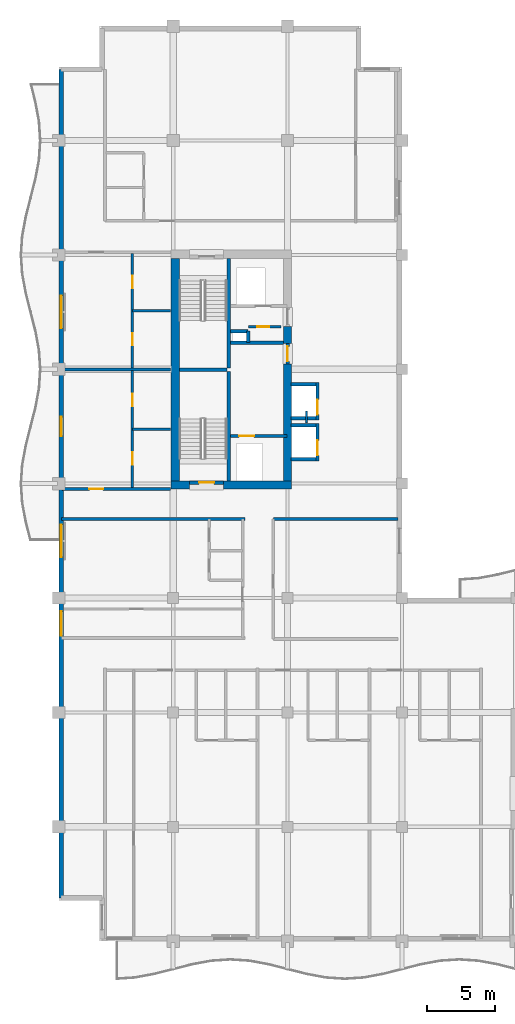
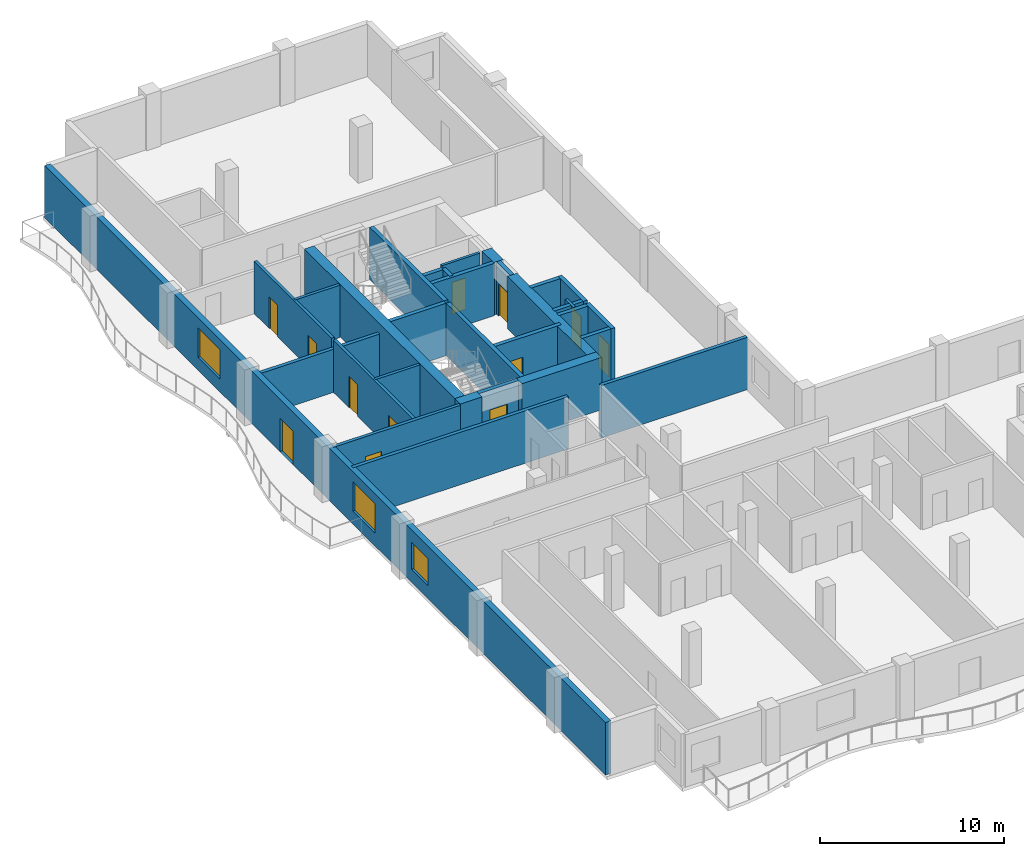
# One storey, part 9 of 16: 31 walls, 12 doors, 3 windows, 15 openings.
"""IFC4 building model written with IfcOpenShell, lengths in metres."""

from ifc_helpers import new_model, si_unit, direction, frame, frame_2d, origin, place, context, subcontext, project, spatial, rectangle, extrude, material, layer, layer_set, type_object, element, fill, save


model = new_model("IFC4")

# Units and contexts
model_context = context("Model", 3, precision=1e-05, world=origin(), true_north=direction((0.0, 1.0)))
body_context = subcontext(model_context, "Body", "Model", "MODEL_VIEW")
ifc_project = project(units=[si_unit("LENGTHUNIT", "METRE"), si_unit("AREAUNIT", "SQUARE_METRE"), si_unit("VOLUMEUNIT", "CUBIC_METRE"), si_unit("PLANEANGLEUNIT", "RADIAN"), si_unit("MASSUNIT", "GRAM", prefix="KILO")], contexts=[model_context])

# Site, building, storey
site_placement = place(None, origin())
site = spatial("IfcSite", under=ifc_project, at=site_placement, CompositionType="ELEMENT")
building_placement = place(site_placement, origin())
building = spatial("IfcBuilding", under=site, at=building_placement, Name="Koriwani Terraces Tower", CompositionType="ELEMENT")
storey_placement = place(building_placement, frame((0.0, 0.0, 245.300048828125)))
storey = spatial("IfcBuildingStorey", under=building, at=storey_placement, Name="L60", CompositionType="ELEMENT", Elevation=245.300048828125)

# Walls
ifc_material_1 = material(Name="Concrete C60/75", Category="concrete")
ifc_layer_1 = layer(ifc_material_1, 0.60009765625, Name="Concrete C60/75")
ifc_layer_set_1 = layer_set([ifc_layer_1], Name="Concrete C60/75")
wall_type_1 = type_object("IfcWallType", Name="WALL_CORE_RC_600", PredefinedType="SHEAR", material=ifc_layer_set_1)
wall_1_placement = place(storey_placement, frame((16.64990234375, 41.89990234375, 0.0), z_axis=(0.0, 0.0, 1.0), x_axis=(1.0, 0.0, 0.0)))
element("IfcWall", 1, at=wall_1_placement, inside=storey, type_object=wall_type_1, Name="L60 West Split Core Shear Wall S1", PredefinedType="SHEAR", context=body_context, shape_type="SweptSolid", body=[
    extrude(rectangle(XDim=1.35009765625, YDim=0.60009765625, at=frame_2d((0.675048828125, 0.0))), origin(), (0.0, 0.0, 1.0), 3.469970703125),
])
wall_2_placement = place(storey_placement, frame((20.5, 41.89990234375, 0.0), z_axis=(0.0, 0.0, 1.0), x_axis=(1.0, 0.0, 0.0)))
element("IfcWall", 2, at=wall_2_placement, inside=storey, type_object=wall_type_1, Name="L60 West Split Core Shear Wall S2", PredefinedType="SHEAR", context=body_context, shape_type="SweptSolid", body=[
    extrude(rectangle(XDim=5.0, YDim=0.60009765625, at=frame_2d((2.5, 0.0))), origin(), (0.0, 0.0, 1.0), 3.469970703125),
])
wall_3_placement = place(storey_placement, frame((16.949951171875, 42.199951171875, 0.0), z_axis=(0.0, 0.0, 1.0), x_axis=(0.0, 1.0, 0.0)))
element("IfcWall", 3, at=wall_3_placement, inside=storey, type_object=wall_type_1, Name="L60 West Split Core Shear Wall W1", PredefinedType="SHEAR", context=body_context, shape_type="SweptSolid", body=[
    extrude(rectangle(XDim=16.35009765625, YDim=0.60009765625, at=frame_2d((8.175048828125, 0.0))), origin(), (0.0, 0.0, 1.0), 3.469970703125),
])
wall_4_placement = place(storey_placement, frame((25.199951171875, 42.199951171875, 0.0), z_axis=(0.0, 0.0, 1.0), x_axis=(0.0, 1.0, 0.0)))
element("IfcWall", 4, at=wall_4_placement, inside=storey, type_object=wall_type_1, Name="L60 West Split Core Shear Wall E1", PredefinedType="SHEAR", context=body_context, shape_type="SweptSolid", body=[
    extrude(rectangle(XDim=8.60009765625, YDim=0.60009765625, at=frame_2d((4.300048828125, 0.0))), origin(), (0.0, 0.0, 1.0), 3.469970703125),
])
wall_5_placement = place(storey_placement, frame((25.199951171875, 52.280029296875, 0.0), z_axis=(0.0, 0.0, 1.0), x_axis=(0.0, 1.0, 0.0)))
element("IfcWall", 5, at=wall_5_placement, inside=storey, type_object=wall_type_1, Name="L60 West Split Core Shear Wall E2", PredefinedType="SHEAR", context=body_context, shape_type="SweptSolid", body=[
    extrude(rectangle(XDim=1.27001953125, YDim=0.60009765625, at=frame_2d((0.635009765625, 0.0))), origin(), (0.0, 0.0, 1.0), 3.469970703125),
])

# Wall, opening, door
ifc_material_2 = material(Name="Autoclaved Cellular Concrete Blockwork", Category="masonry")
ifc_layer_2 = layer(ifc_material_2, 0.199951171875, Name="Autoclaved Cellular Concrete Blockwork")
ifc_layer_set_2 = layer_set([ifc_layer_2], Name="Autoclaved Cellular Concrete Blockwork")
wall_type_2 = type_object("IfcWallType", Name="WALL_CORRIDOR_200", PredefinedType="PARTITIONING", material=ifc_layer_set_2)
wall_6_placement = place(storey_placement, frame((8.64990234375, 41.60009765625, 0.0), z_axis=(0.0, 0.0, 1.0), x_axis=(1.0, 0.0, 0.0)))
wall_6 = element("IfcWall", 6, at=wall_6_placement, inside=storey, type_object=wall_type_2, Name="L60 Interior Wall WRZ4-WS-L60", PredefinedType="PARTITIONING", context=body_context, shape_type="SweptSolid", body=[
    extrude(rectangle(XDim=7.9501953125, YDim=0.199951171875, at=frame_2d((3.97509765625, 0.0))), origin(), (0.0, 0.0, 1.0), 3.469970703125),
])
opening_1_placement = place(wall_6_placement, frame((2.0, 0.0, 0.0)))
opening_1 = element("IfcOpeningElement", 7, at=opening_1_placement, cuts=wall_6, Name="Opening D-05", PredefinedType="OPENING", context=body_context, shape_type="SweptSolid", body=[
    extrude(rectangle(XDim=1.0, YDim=2.14990234375, at=frame_2d((0.5, 1.074951171875))), frame((0.0, 0.10986328125, 0.0), z_axis=(0.0, -1.0, 0.0), x_axis=(1.0, 0.0, 0.0)), (0.0, 0.0, 1.0), 0.219970703125),
])
ifc_material_3 = material(Name="Architectural Oak Fire Door", Category="wood")
door_type_1 = type_object("IfcDoorType", Name="DOOR_SUITE_ENTRY_1000X2150", OperationType="NOTDEFINED", PredefinedType="DOOR", material=ifc_material_3)
door_1_placement = place(opening_1_placement, origin())
door_1 = element("IfcDoor", 8, at=door_1_placement, inside=storey, type_object=door_type_1, Name="Apartment 60RW1 Entrance Door", OperationType="SINGLE_SWING_LEFT", OverallHeight=2.14990234375, OverallWidth=1.0, PredefinedType="DOOR", context=body_context, shape_type="SweptSolid", body=[
    extrude(rectangle(XDim=1.0, YDim=2.14990234375, at=frame_2d((0.5, 1.074951171875))), frame((0.0, 0.02490234375, 0.0), z_axis=(0.0, -1.0, 0.0), x_axis=(1.0, 0.0, 0.0)), (0.0, 0.0, 1.0), 0.050048828125),
])
fill(opening_1, door_1)

# Walls
ifc_layer_3 = layer(ifc_material_2, 0.219970703125, Name="Autoclaved Cellular Concrete Blockwork")
ifc_layer_set_3 = layer_set([ifc_layer_3], Name="Autoclaved Cellular Concrete Blockwork")
wall_type_3 = type_object("IfcWallType", Name="WALL_DEMISING_220", PredefinedType="PARTITIONING", material=ifc_layer_set_3)
wall_7_placement = place(storey_placement, frame((24.14990234375, 39.39990234375, 0.0), z_axis=(0.0, 0.0, 1.0), x_axis=(1.0, 0.0, 0.0)))
element("IfcWall", 9, at=wall_7_placement, inside=storey, type_object=wall_type_3, Name="L60 Interior Wall WIC4WN-L60", PredefinedType="PARTITIONING", context=body_context, shape_type="SweptSolid", body=[
    extrude(rectangle(XDim=9.150146484375, YDim=0.219970703125, at=frame_2d((4.5751953125, 0.0))), origin(), (0.0, 0.0, 1.0), 3.469970703125),
])
wall_8_placement = place(storey_placement, frame((8.64990234375, 50.39990234375, 0.0), z_axis=(0.0, 0.0, 1.0), x_axis=(1.0, 0.0, 0.0)))
element("IfcWall", 10, at=wall_8_placement, inside=storey, type_object=wall_type_3, Name="L60 Interior Wall WRZ4-WM-L60", PredefinedType="PARTITIONING", context=body_context, shape_type="SweptSolid", body=[
    extrude(rectangle(XDim=7.9501953125, YDim=0.219970703125, at=frame_2d((3.97509765625, 0.0))), origin(), (0.0, 0.0, 1.0), 2.85888671875),
])
wall_9_placement = place(storey_placement, frame((8.60009765625, 39.39990234375, 0.0), z_axis=(0.0, 0.0, 1.0), x_axis=(1.0, 0.0, 0.0)))
element("IfcWall", 11, at=wall_9_placement, inside=storey, type_object=wall_type_3, Name="L60 Interior Wall WRDEME-L60-NE", PredefinedType="PARTITIONING", context=body_context, shape_type="SweptSolid", body=[
    extrude(rectangle(XDim=13.47998046875, YDim=0.219970703125, at=frame_2d((6.739990234375, 0.0))), origin(), (0.0, 0.0, 1.0), 3.469970703125),
])

# Wall, openings, door, windows
ifc_material_4 = material(Name="Concrete C50/60", Category="concrete")
ifc_layer_4 = layer(ifc_material_4, 0.35009765625, Name="Concrete C50/60")
ifc_layer_set_4 = layer_set([ifc_layer_4], Name="Concrete C50/60")
wall_type_4 = type_object("IfcWallType", Name="WALL_EXT_BRUTALIST_350", PredefinedType="STANDARD", material=ifc_layer_set_4)
wall_10_placement = place(storey_placement, frame((8.574951171875, 11.574951171875, 0.0), z_axis=(0.0, 0.0, 1.0), x_axis=(0.0, 1.0, 0.0)))
wall_10 = element("IfcWall", 12, at=wall_10_placement, inside=storey, type_object=wall_type_4, Name="L60 Fair-Faced Brutalist Exterior Wall (W)", PredefinedType="STANDARD", context=body_context, shape_type="SweptSolid", body=[
    extrude(rectangle(XDim=60.85009765625, YDim=0.35009765625, at=frame_2d((30.425048828125, 0.0))), origin(), (0.0, 0.0, 1.0), 3.469970703125),
])
opening_2_placement = place(wall_10_placement, frame((33.925048828125, 0.0, 0.0)))
opening_2 = element("IfcOpeningElement", 13, at=opening_2_placement, cuts=wall_10, Name="Opening D-09", PredefinedType="OPENING", context=body_context, shape_type="SweptSolid", body=[
    extrude(rectangle(XDim=1.39990234375, YDim=2.199951171875, at=frame_2d((0.699951171875, 1.10009765625))), frame((0.0, 0.18505859375, 0.0), z_axis=(0.0, -1.0, 0.0), x_axis=(1.0, 0.0, 0.0)), (0.0, 0.0, 1.0), 0.3701171875),
])
opening_3_placement = place(wall_10_placement, frame((25.02490234375, 0.0, 0.85009765625)))
opening_3 = element("IfcOpeningElement", 14, at=opening_3_placement, cuts=wall_10, Name="Opening W-03", PredefinedType="OPENING", context=body_context, shape_type="SweptSolid", body=[
    extrude(rectangle(XDim=2.39990234375, YDim=1.949951171875, at=frame_2d((1.199951171875, 0.97509765625))), frame((0.0, 0.18505859375, 0.0), z_axis=(0.0, -1.0, 0.0), x_axis=(1.0, 0.0, 0.0)), (0.0, 0.0, 1.0), 0.3701171875),
])
opening_4_placement = place(wall_10_placement, frame((41.824951171875, 0.0, 0.85009765625)))
opening_4 = element("IfcOpeningElement", 15, at=opening_4_placement, cuts=wall_10, Name="Opening W-03", PredefinedType="OPENING", context=body_context, shape_type="SweptSolid", body=[
    extrude(rectangle(XDim=2.39990234375, YDim=1.949951171875, at=frame_2d((1.199951171875, 0.97509765625))), frame((0.0, 0.18505859375, 0.0), z_axis=(0.0, -1.0, 0.0), x_axis=(1.0, 0.0, 0.0)), (0.0, 0.0, 1.0), 0.3701171875),
])
opening_5_placement = place(wall_10_placement, frame((19.25, 0.0, 0.85009765625)))
opening_5 = element("IfcOpeningElement", 16, at=opening_5_placement, cuts=wall_10, Name="Opening W-04", PredefinedType="OPENING", context=body_context, shape_type="SweptSolid", body=[
    extrude(rectangle(XDim=1.800048828125, YDim=1.800048828125, at=frame_2d((0.89990234375, 0.89990234375))), frame((0.0, 0.18505859375, 0.0), z_axis=(0.0, -1.0, 0.0), x_axis=(1.0, 0.0, 0.0)), (0.0, 0.0, 1.0), 0.3701171875),
])
ifc_material_5 = material(Name="Anodised Bronze Aluminium", Category="aluminium")
door_type_2 = type_object("IfcDoorType", Name="DOOR_BALCONY_GLAZED_1400X2200", OperationType="NOTDEFINED", PredefinedType="DOOR", material=ifc_material_5)
door_2_placement = place(opening_2_placement, origin())
door_2 = element("IfcDoor", 17, at=door_2_placement, inside=storey, type_object=door_type_2, Name="L60 West Balcony Glazed Door", OperationType="SINGLE_SWING_LEFT", OverallHeight=2.199951171875, OverallWidth=1.39990234375, PredefinedType="DOOR", context=body_context, shape_type="SweptSolid", body=[
    extrude(rectangle(XDim=1.39990234375, YDim=2.199951171875, at=frame_2d((0.699951171875, 1.10009765625))), frame((0.0, 0.02490234375, 0.0), z_axis=(0.0, -1.0, 0.0), x_axis=(1.0, 0.0, 0.0)), (0.0, 0.0, 1.0), 0.050048828125),
])
fill(opening_2, door_2)
ifc_material_6 = material(Name="Tempered Laminated Low-E Glass", Category="glass")
window_type_1 = type_object("IfcWindowType", Name="WIN_RES_BED_1800X1800", PartitioningType="DOUBLE_PANEL_VERTICAL", PredefinedType="WINDOW", material=ifc_material_6)
window_1_placement = place(opening_5_placement, origin())
window_1 = element("IfcWindow", 18, at=window_1_placement, inside=storey, type_object=window_type_1, Name="L60 Exterior Window (W-R42)", OverallHeight=1.800048828125, OverallWidth=1.800048828125, PartitioningType="SINGLE_PANEL", PredefinedType="WINDOW", context=body_context, shape_type="SweptSolid", body=[
    extrude(rectangle(XDim=1.800048828125, YDim=1.800048828125, at=frame_2d((0.89990234375, 0.89990234375))), frame((0.0, 0.030029296875, 0.0), z_axis=(0.0, -1.0, 0.0), x_axis=(1.0, 0.0, 0.0)), (0.0, 0.0, 1.0), 0.06005859375),
])
fill(opening_5, window_1)
window_type_2 = type_object("IfcWindowType", Name="WIN_RES_LIVING_2400X1950", PartitioningType="DOUBLE_PANEL_VERTICAL", PredefinedType="WINDOW", material=ifc_material_6)
window_2_placement = place(opening_3_placement, origin())
window_2 = element("IfcWindow", 19, at=window_2_placement, inside=storey, type_object=window_type_2, Name="L60 Exterior Window (W-9)", OverallHeight=1.949951171875, OverallWidth=2.39990234375, PartitioningType="SINGLE_PANEL", PredefinedType="WINDOW", context=body_context, shape_type="SweptSolid", body=[
    extrude(rectangle(XDim=2.39990234375, YDim=1.949951171875, at=frame_2d((1.199951171875, 0.97509765625))), frame((0.0, 0.030029296875, 0.0), z_axis=(0.0, -1.0, 0.0), x_axis=(1.0, 0.0, 0.0)), (0.0, 0.0, 1.0), 0.06005859375),
])
fill(opening_3, window_2)
window_3_placement = place(opening_4_placement, origin())
window_3 = element("IfcWindow", 20, at=window_3_placement, inside=storey, type_object=window_type_2, Name="L60 Exterior Window (W-15)", OverallHeight=1.949951171875, OverallWidth=2.39990234375, PartitioningType="SINGLE_PANEL", PredefinedType="WINDOW", context=body_context, shape_type="SweptSolid", body=[
    extrude(rectangle(XDim=2.39990234375, YDim=1.949951171875, at=frame_2d((1.199951171875, 0.97509765625))), frame((0.0, 0.030029296875, 0.0), z_axis=(0.0, -1.0, 0.0), x_axis=(1.0, 0.0, 0.0)), (0.0, 0.0, 1.0), 0.06005859375),
])
fill(opening_4, window_3)

# Wall, openings, doors
ifc_material_7 = material(Name="Fire-Rated Acoustic Gypsum Partition", Category="masonry")
ifc_layer_5 = layer(ifc_material_7, 0.179931640625, Name="Fire-Rated Acoustic Gypsum Partition")
ifc_layer_set_5 = layer_set([ifc_layer_5], Name="Fire-Rated Acoustic Gypsum Partition")
wall_type_5 = type_object("IfcWallType", Name="WALL_PLUMBING_180", PredefinedType="PLUMBINGWALL", material=ifc_layer_set_5)
wall_11_placement = place(storey_placement, frame((13.800048828125, 41.699951171875, 0.0), z_axis=(0.0, 0.0, 1.0), x_axis=(0.0, 1.0, 0.0)))
wall_11 = element("IfcWall", 21, at=wall_11_placement, inside=storey, type_object=wall_type_5, Name="L60 Interior Wall WRZ4-RW1-PB-L60", PredefinedType="PLUMBINGWALL", context=body_context, shape_type="SweptSolid", body=[
    extrude(rectangle(XDim=8.60009765625, YDim=0.179931640625, at=frame_2d((4.300048828125, 0.0))), origin(), (0.0, 0.0, 1.0), 3.469970703125),
])
opening_6_placement = place(wall_11_placement, frame((1.699951171875, 0.0, 0.0)))
opening_6 = element("IfcOpeningElement", 22, at=opening_6_placement, cuts=wall_11, Name="Opening D-07", PredefinedType="OPENING", context=body_context, shape_type="SweptSolid", body=[
    extrude(rectangle(XDim=0.89990234375, YDim=2.10009765625, at=frame_2d((0.449951171875, 1.050048828125))), frame((0.0, 0.10009765625, 0.0), z_axis=(0.0, -1.0, 0.0), x_axis=(1.0, 0.0, 0.0)), (0.0, 0.0, 1.0), 0.199951171875),
])
opening_7_placement = place(wall_11_placement, frame((5.989990234375, 0.0, 0.0)))
opening_7 = element("IfcOpeningElement", 23, at=opening_7_placement, cuts=wall_11, Name="Opening D-06", PredefinedType="OPENING", context=body_context, shape_type="SweptSolid", body=[
    extrude(rectangle(XDim=0.919921875, YDim=2.10009765625, at=frame_2d((0.4599609375, 1.050048828125))), frame((0.0, 0.10009765625, 0.0), z_axis=(0.0, -1.0, 0.0), x_axis=(1.0, 0.0, 0.0)), (0.0, 0.0, 1.0), 0.199951171875),
])
door_type_3 = type_object("IfcDoorType", Name="DOOR_BATH_INT_900X2100", OperationType="NOTDEFINED", PredefinedType="DOOR", material=ifc_material_3)
door_3_placement = place(opening_6_placement, origin())
door_3 = element("IfcDoor", 24, at=door_3_placement, inside=storey, type_object=door_type_3, Name="Apartment 60RW1 Bathroom Door", OperationType="SINGLE_SWING_LEFT", OverallHeight=2.10009765625, OverallWidth=0.89990234375, PredefinedType="DOOR", context=body_context, shape_type="SweptSolid", body=[
    extrude(rectangle(XDim=0.89990234375, YDim=2.10009765625, at=frame_2d((0.449951171875, 1.050048828125))), frame((0.0, 0.02490234375, 0.0), z_axis=(0.0, -1.0, 0.0), x_axis=(1.0, 0.0, 0.0)), (0.0, 0.0, 1.0), 0.050048828125),
])
fill(opening_6, door_3)
door_type_4 = type_object("IfcDoorType", Name="DOOR_ROOM_INT_920X2100", OperationType="NOTDEFINED", PredefinedType="DOOR", material=ifc_material_3)
door_4_placement = place(opening_7_placement, origin())
door_4 = element("IfcDoor", 25, at=door_4_placement, inside=storey, type_object=door_type_4, Name="Apartment 60RW1 Kitchen Door", OperationType="SINGLE_SWING_RIGHT", OverallHeight=2.10009765625, OverallWidth=0.919921875, PredefinedType="DOOR", context=body_context, shape_type="SweptSolid", body=[
    extrude(rectangle(XDim=0.919921875, YDim=2.10009765625, at=frame_2d((0.4599609375, 1.050048828125))), frame((0.0, 0.02490234375, 0.0), z_axis=(0.0, -1.0, 0.0), x_axis=(1.0, 0.0, 0.0)), (0.0, 0.0, 1.0), 0.050048828125),
])
fill(opening_7, door_4)

# Wall
wall_12_placement = place(storey_placement, frame((13.800048828125, 46.0, 0.0), z_axis=(0.0, 0.0, 1.0), x_axis=(1.0, 0.0, 0.0)))
element("IfcWall", 26, at=wall_12_placement, inside=storey, type_object=wall_type_5, Name="L60 Interior Wall WRZ4-RW1-P2-L60", PredefinedType="PLUMBINGWALL", context=body_context, shape_type="SweptSolid", body=[
    extrude(rectangle(XDim=2.800048828125, YDim=0.179931640625, at=frame_2d((1.39990234375, 0.0))), origin(), (0.0, 0.0, 1.0), 3.469970703125),
])

# Wall, openings, doors
wall_13_placement = place(storey_placement, frame((13.800048828125, 50.5, 0.0), z_axis=(0.0, 0.0, 1.0), x_axis=(0.0, 1.0, 0.0)))
wall_13 = element("IfcWall", 27, at=wall_13_placement, inside=storey, type_object=wall_type_5, Name="L60 Interior Wall WRZ4-RW2-PB-L60", PredefinedType="PLUMBINGWALL", context=body_context, shape_type="SweptSolid", body=[
    extrude(rectangle(XDim=8.39990234375, YDim=0.179931640625, at=frame_2d((4.199951171875, 0.0))), origin(), (0.0, 0.0, 1.0), 3.469970703125),
])
opening_8_placement = place(wall_13_placement, frame((1.64990234375, 0.0, 0.0)))
opening_8 = element("IfcOpeningElement", 28, at=opening_8_placement, cuts=wall_13, Name="Opening D-07", PredefinedType="OPENING", context=body_context, shape_type="SweptSolid", body=[
    extrude(rectangle(XDim=0.89990234375, YDim=2.10009765625, at=frame_2d((0.449951171875, 1.050048828125))), frame((0.0, 0.10009765625, 0.0), z_axis=(0.0, -1.0, 0.0), x_axis=(1.0, 0.0, 0.0)), (0.0, 0.0, 1.0), 0.199951171875),
])
opening_9_placement = place(wall_13_placement, frame((5.840087890625, 0.0, 0.0)))
opening_9 = element("IfcOpeningElement", 29, at=opening_9_placement, cuts=wall_13, Name="Opening D-06", PredefinedType="OPENING", context=body_context, shape_type="SweptSolid", body=[
    extrude(rectangle(XDim=0.919921875, YDim=2.10009765625, at=frame_2d((0.4599609375, 1.050048828125))), frame((0.0, 0.10009765625, 0.0), z_axis=(0.0, -1.0, 0.0), x_axis=(1.0, 0.0, 0.0)), (0.0, 0.0, 1.0), 0.199951171875),
])
door_5_placement = place(opening_8_placement, origin())
door_5 = element("IfcDoor", 30, at=door_5_placement, inside=storey, type_object=door_type_3, Name="Apartment 60RW2 Bathroom Door", OperationType="SINGLE_SWING_LEFT", OverallHeight=2.10009765625, OverallWidth=0.89990234375, PredefinedType="DOOR", context=body_context, shape_type="SweptSolid", body=[
    extrude(rectangle(XDim=0.89990234375, YDim=2.10009765625, at=frame_2d((0.449951171875, 1.050048828125))), frame((0.0, 0.02490234375, 0.0), z_axis=(0.0, -1.0, 0.0), x_axis=(1.0, 0.0, 0.0)), (0.0, 0.0, 1.0), 0.050048828125),
])
fill(opening_8, door_5)
door_6_placement = place(opening_9_placement, origin())
door_6 = element("IfcDoor", 31, at=door_6_placement, inside=storey, type_object=door_type_4, Name="Apartment 60RW2 Kitchen Door", OperationType="SINGLE_SWING_RIGHT", OverallHeight=2.10009765625, OverallWidth=0.919921875, PredefinedType="DOOR", context=body_context, shape_type="SweptSolid", body=[
    extrude(rectangle(XDim=0.919921875, YDim=2.10009765625, at=frame_2d((0.4599609375, 1.050048828125))), frame((0.0, 0.02490234375, 0.0), z_axis=(0.0, -1.0, 0.0), x_axis=(1.0, 0.0, 0.0)), (0.0, 0.0, 1.0), 0.050048828125),
])
fill(opening_9, door_6)

# Walls
wall_14_placement = place(storey_placement, frame((13.800048828125, 54.699951171875, 0.0), z_axis=(0.0, 0.0, 1.0), x_axis=(1.0, 0.0, 0.0)))
element("IfcWall", 32, at=wall_14_placement, inside=storey, type_object=wall_type_5, Name="L60 Interior Wall WRZ4-RW2-P2-L60", PredefinedType="PLUMBINGWALL", context=body_context, shape_type="SweptSolid", body=[
    extrude(rectangle(XDim=2.800048828125, YDim=0.179931640625, at=frame_2d((1.39990234375, 0.0))), origin(), (0.0, 0.0, 1.0), 3.469970703125),
])
ifc_material_8 = material(Name="Concrete C40/50", Category="concrete")
ifc_layer_6 = layer(ifc_material_8, 0.25, Name="Concrete C40/50")
ifc_layer_set_6 = layer_set([ifc_layer_6], Name="Concrete C40/50")
wall_type_6 = type_object("IfcWallType", Name="WALL_SHAFT_RATED_250", PredefinedType="SOLIDWALL", material=ifc_layer_set_6)
for number, where, z_axis, x_axis, name in (
    (33, (20.875, 42.199951171875, 0.0), (0.0, 0.0, 1.0), (0.0, 1.0, 0.0), "L60 West Split Core Web Wall MID1"),
    (34, (20.875, 50.5, 0.0), (0.0, 0.0, 1.0), (0.0, 1.0, 0.0), "L60 West Split Core Web Wall MID2"),
):
    element("IfcWall", number, at=place(storey_placement, frame(where, z_axis=z_axis, x_axis=x_axis)), inside=storey, type_object=wall_type_6, Name=name, PredefinedType="SOLIDWALL", context=body_context, shape_type="SweptSolid", body=[
        extrude(rectangle(XDim=8.050048828125, YDim=0.25, at=frame_2d((4.02490234375, 0.0))), origin(), (0.0, 0.0, 1.0), 3.469970703125),
    ])
wall_15_placement = place(storey_placement, frame((17.25, 50.375, 0.0), z_axis=(0.0, 0.0, 1.0), x_axis=(1.0, 0.0, 0.0)))
element("IfcWall", 35, at=wall_15_placement, inside=storey, type_object=wall_type_6, Name="L60 West Split Core Stair Dividing Wall", PredefinedType="SOLIDWALL", context=body_context, shape_type="SweptSolid", body=[
    extrude(rectangle(XDim=3.5, YDim=0.25, at=frame_2d((1.75, 0.0))), origin(), (0.0, 0.0, 1.0), 3.469970703125),
])

# Wall, opening, door
wall_16_placement = place(storey_placement, frame((18.0, 42.074951171875, 0.0), z_axis=(0.0, 0.0, 1.0), x_axis=(1.0, 0.0, 0.0)))
wall_16 = element("IfcWall", 36, at=wall_16_placement, inside=storey, type_object=wall_type_6, Name="L60 Interior Wall WIN-CW-L60-STS", PredefinedType="SOLIDWALL", context=body_context, shape_type="SweptSolid", body=[
    extrude(rectangle(XDim=2.5, YDim=0.25, at=frame_2d((1.25, 0.0))), origin(), (0.0, 0.0, 1.0), 3.469970703125),
])
opening_10_placement = place(wall_16_placement, frame((0.699951171875, 0.0, 0.0)))
opening_10 = element("IfcOpeningElement", 37, at=opening_10_placement, cuts=wall_16, Name="Opening D-03", PredefinedType="OPENING", context=body_context, shape_type="SweptSolid", body=[
    extrude(rectangle(XDim=1.10009765625, YDim=2.14990234375, at=frame_2d((0.550048828125, 1.074951171875))), frame((0.0, 0.135009765625, 0.0), z_axis=(0.0, -1.0, 0.0), x_axis=(1.0, 0.0, 0.0)), (0.0, 0.0, 1.0), 0.27001953125),
])
ifc_material_9 = material(Name="Steel ASTM A572 Grade 50", Category="steel")
door_type_5 = type_object("IfcDoorType", Name="DOOR_STAIR_FIRE_1100X2150", OperationType="NOTDEFINED", PredefinedType="DOOR", material=ifc_material_9)
door_7_placement = place(opening_10_placement, origin())
door_7 = element("IfcDoor", 38, at=door_7_placement, inside=storey, type_object=door_type_5, Name="L60 Exit Stair ST-W1 Door", OperationType="SINGLE_SWING_RIGHT", OverallHeight=2.14990234375, OverallWidth=1.10009765625, PredefinedType="DOOR", context=body_context, shape_type="SweptSolid", body=[
    extrude(rectangle(XDim=1.10009765625, YDim=2.14990234375, at=frame_2d((0.550048828125, 1.074951171875))), frame((0.0, 0.02490234375, 0.0), z_axis=(0.0, -1.0, 0.0), x_axis=(1.0, 0.0, 0.0)), (0.0, 0.0, 1.0), 0.050048828125),
])
fill(opening_10, door_7)

wall_17_placement = place(storey_placement, frame((21.0, 45.5, 0.0), z_axis=(0.0, 0.0, 1.0), x_axis=(1.0, 0.0, 0.0)))
wall_17 = element("IfcWall", 39, at=wall_17_placement, inside=storey, type_object=wall_type_6, Name="L60 Interior Wall WIN-CW-L60-FE", PredefinedType="SOLIDWALL", context=body_context, shape_type="SweptSolid", body=[
    extrude(rectangle(XDim=4.14990234375, YDim=0.25, at=frame_2d((2.074951171875, 0.0))), origin(), (0.0, 0.0, 1.0), 3.469970703125),
])
opening_11_placement = place(wall_17_placement, frame((0.64990234375, 0.0, 0.0)))
opening_11 = element("IfcOpeningElement", 40, at=opening_11_placement, cuts=wall_17, Name="Opening LD-01", PredefinedType="OPENING", context=body_context, shape_type="SweptSolid", body=[
    extrude(rectangle(XDim=1.10009765625, YDim=2.14990234375, at=frame_2d((0.550048828125, 1.074951171875))), frame((0.0, 0.135009765625, 0.0), z_axis=(0.0, -1.0, 0.0), x_axis=(1.0, 0.0, 0.0)), (0.0, 0.0, 1.0), 0.27001953125),
])
door_type_6 = type_object("IfcDoorType", Name="DOOR_LIFT_LANDING_1100X2200", OperationType="NOTDEFINED", PredefinedType="DOOR", material=ifc_material_9)
door_8_placement = place(opening_11_placement, origin())
door_8 = element("IfcDoor", 41, at=door_8_placement, inside=storey, type_object=door_type_6, Name="L60 Firefighting Lift FE-01 Landing Door", OperationType="SLIDING_TO_LEFT", OverallHeight=2.14990234375, OverallWidth=1.10009765625, PredefinedType="DOOR", context=body_context, shape_type="SweptSolid", body=[
    extrude(rectangle(XDim=1.10009765625, YDim=2.14990234375, at=frame_2d((0.550048828125, 1.074951171875))), frame((0.0, 0.02490234375, 0.0), z_axis=(0.0, -1.0, 0.0), x_axis=(1.0, 0.0, 0.0)), (0.0, 0.0, 1.0), 0.050048828125),
])
fill(opening_11, door_8)

wall_18_placement = place(storey_placement, frame((25.199951171875, 50.800048828125, 0.0), z_axis=(0.0, 0.0, 1.0), x_axis=(0.0, 1.0, 0.0)))
wall_18 = element("IfcWall", 42, at=wall_18_placement, inside=storey, type_object=wall_type_6, Name="L60 Interior Wall WIN-CW-L60-EP", PredefinedType="SOLIDWALL", context=body_context, shape_type="SweptSolid", body=[
    extrude(rectangle(XDim=1.47998046875, YDim=0.25, at=frame_2d((0.739990234375, 0.0))), origin(), (0.0, 0.0, 1.0), 3.469970703125),
])
opening_12_placement = place(wall_18_placement, frame((0.179931640625, 0.0, 0.0)))
opening_12 = element("IfcOpeningElement", 43, at=opening_12_placement, cuts=wall_18, Name="Opening D-03", PredefinedType="OPENING", context=body_context, shape_type="SweptSolid", body=[
    extrude(rectangle(XDim=1.10009765625, YDim=2.14990234375, at=frame_2d((0.550048828125, 1.074951171875))), frame((0.0, 0.135009765625, 0.0), z_axis=(0.0, -1.0, 0.0), x_axis=(1.0, 0.0, 0.0)), (0.0, 0.0, 1.0), 0.27001953125),
])
door_9_placement = place(opening_12_placement, origin())
door_9 = element("IfcDoor", 44, at=door_9_placement, inside=storey, type_object=door_type_5, Name="L60 West Firefighting Lobby Door", OperationType="SINGLE_SWING_RIGHT", OverallHeight=2.14990234375, OverallWidth=1.10009765625, PredefinedType="DOOR", context=body_context, shape_type="SweptSolid", body=[
    extrude(rectangle(XDim=1.10009765625, YDim=2.14990234375, at=frame_2d((0.550048828125, 1.074951171875))), frame((0.0, 0.02490234375, 0.0), z_axis=(0.0, -1.0, 0.0), x_axis=(1.0, 0.0, 0.0)), (0.0, 0.0, 1.0), 0.050048828125),
])
fill(opening_12, door_9)

# Walls
wall_19_placement = place(storey_placement, frame((21.0, 52.340087890625, 0.0), z_axis=(0.0, 0.0, 1.0), x_axis=(1.0, 0.0, 0.0)))
element("IfcWall", 45, at=wall_19_placement, inside=storey, type_object=wall_type_6, Name="L60 Interior Wall WIN-CW-L60-FFN", PredefinedType="SOLIDWALL", context=body_context, shape_type="SweptSolid", body=[
    extrude(rectangle(XDim=3.89990234375, YDim=0.25, at=frame_2d((1.949951171875, 0.0))), origin(), (0.0, 0.0, 1.0), 3.469970703125),
])
wall_20_placement = place(storey_placement, frame((21.0, 53.199951171875, 0.0), z_axis=(0.0, 0.0, 1.0), x_axis=(1.0, 0.0, 0.0)))
element("IfcWall", 46, at=wall_20_placement, inside=storey, type_object=wall_type_6, Name="L60 Interior Wall WIN-CW-L60-RS1", PredefinedType="SOLIDWALL", context=body_context, shape_type="SweptSolid", body=[
    extrude(rectangle(XDim=1.300048828125, YDim=0.25, at=frame_2d((0.64990234375, 0.0))), origin(), (0.0, 0.0, 1.0), 3.469970703125),
])
wall_21_placement = place(storey_placement, frame((22.300048828125, 52.360107421875, 0.0), z_axis=(0.0, 0.0, 1.0), x_axis=(0.0, 1.0, 0.0)))
element("IfcWall", 47, at=wall_21_placement, inside=storey, type_object=wall_type_6, Name="L60 Interior Wall WIN-CW-L60-RS2", PredefinedType="SOLIDWALL", context=body_context, shape_type="SweptSolid", body=[
    extrude(rectangle(XDim=0.83984375, YDim=0.25, at=frame_2d((0.419921875, 0.0))), origin(), (0.0, 0.0, 1.0), 3.469970703125),
])

# Wall, opening, door
wall_22_placement = place(storey_placement, frame((27.39990234375, 43.675048828125, 0.0), z_axis=(0.0, 0.0, 1.0), x_axis=(0.0, 1.0, 0.0)))
wall_22 = element("IfcWall", 48, at=wall_22_placement, inside=storey, type_object=wall_type_6, Name="L60 Interior Wall WIN-LF-PE-H1-L60-F", PredefinedType="SOLIDWALL", context=body_context, shape_type="SweptSolid", body=[
    extrude(rectangle(XDim=2.75, YDim=0.25, at=frame_2d((1.375, 0.0))), origin(), (0.0, 0.0, 1.0), 3.469970703125),
])
opening_13_placement = place(wall_22_placement, frame((0.39990234375, 0.0, 0.0)))
opening_13 = element("IfcOpeningElement", 49, at=opening_13_placement, cuts=wall_22, Name="Opening LD-01", PredefinedType="OPENING", context=body_context, shape_type="SweptSolid", body=[
    extrude(rectangle(XDim=1.10009765625, YDim=2.14990234375, at=frame_2d((0.550048828125, 1.074951171875))), frame((0.0, 0.135009765625, 0.0), z_axis=(0.0, -1.0, 0.0), x_axis=(1.0, 0.0, 0.0)), (0.0, 0.0, 1.0), 0.27001953125),
])
door_10_placement = place(opening_13_placement, origin())
door_10 = element("IfcDoor", 50, at=door_10_placement, inside=storey, type_object=door_type_6, Name="L60 Passenger Lift PE-H1 Landing Door", OperationType="SLIDING_TO_LEFT", OverallHeight=2.14990234375, OverallWidth=1.10009765625, PredefinedType="DOOR", context=body_context, shape_type="SweptSolid", body=[
    extrude(rectangle(XDim=1.10009765625, YDim=2.14990234375, at=frame_2d((0.550048828125, 1.074951171875))), frame((0.0, 0.02490234375, 0.0), z_axis=(0.0, -1.0, 0.0), x_axis=(1.0, 0.0, 0.0)), (0.0, 0.0, 1.0), 0.050048828125),
])
fill(opening_13, door_10)

# Walls
for number, where, z_axis, x_axis, name in (
    (51, (25.449951171875, 43.800048828125, 0.0), (0.0, 0.0, 1.0), (1.0, 0.0, 0.0), "L60 Interior Wall WIN-LF-PE-H1-L60-S"),
    (52, (25.449951171875, 46.300048828125, 0.0), (0.0, 0.0, 1.0), (1.0, 0.0, 0.0), "L60 Interior Wall WIN-LF-PE-H1-L60-N"),
):
    element("IfcWall", number, at=place(storey_placement, frame(where, z_axis=z_axis, x_axis=x_axis)), inside=storey, type_object=wall_type_6, Name=name, PredefinedType="SOLIDWALL", context=body_context, shape_type="SweptSolid", body=[
        extrude(rectangle(XDim=1.824951171875, YDim=0.25, at=frame_2d((0.91259765625, 0.0))), origin(), (0.0, 0.0, 1.0), 3.469970703125),
    ])

# Wall, opening, door
wall_23_placement = place(storey_placement, frame((27.39990234375, 46.675048828125, 0.0), z_axis=(0.0, 0.0, 1.0), x_axis=(0.0, 1.0, 0.0)))
wall_23 = element("IfcWall", 53, at=wall_23_placement, inside=storey, type_object=wall_type_6, Name="L60 Interior Wall WIN-LF-PE-H2-L60-F", PredefinedType="SOLIDWALL", context=body_context, shape_type="SweptSolid", body=[
    extrude(rectangle(XDim=2.75, YDim=0.25, at=frame_2d((1.375, 0.0))), origin(), (0.0, 0.0, 1.0), 3.469970703125),
])
opening_14_placement = place(wall_23_placement, frame((0.39990234375, 0.0, 0.0)))
opening_14 = element("IfcOpeningElement", 54, at=opening_14_placement, cuts=wall_23, Name="Opening LD-01", PredefinedType="OPENING", context=body_context, shape_type="SweptSolid", body=[
    extrude(rectangle(XDim=1.10009765625, YDim=2.14990234375, at=frame_2d((0.550048828125, 1.074951171875))), frame((0.0, 0.135009765625, 0.0), z_axis=(0.0, -1.0, 0.0), x_axis=(1.0, 0.0, 0.0)), (0.0, 0.0, 1.0), 0.27001953125),
])
door_11_placement = place(opening_14_placement, origin())
door_11 = element("IfcDoor", 55, at=door_11_placement, inside=storey, type_object=door_type_6, Name="L60 Passenger Lift PE-H2 Landing Door", OperationType="SLIDING_TO_LEFT", OverallHeight=2.14990234375, OverallWidth=1.10009765625, PredefinedType="DOOR", context=body_context, shape_type="SweptSolid", body=[
    extrude(rectangle(XDim=1.10009765625, YDim=2.14990234375, at=frame_2d((0.550048828125, 1.074951171875))), frame((0.0, 0.02490234375, 0.0), z_axis=(0.0, -1.0, 0.0), x_axis=(1.0, 0.0, 0.0)), (0.0, 0.0, 1.0), 0.050048828125),
])
fill(opening_14, door_11)

# Walls
for number, where, z_axis, x_axis, name in (
    (56, (25.449951171875, 46.800048828125, 0.0), (0.0, 0.0, 1.0), (1.0, 0.0, 0.0), "L60 Interior Wall WIN-LF-PE-H2-L60-S"),
    (57, (25.449951171875, 49.300048828125, 0.0), (0.0, 0.0, 1.0), (1.0, 0.0, 0.0), "L60 Interior Wall WIN-LF-PE-H2-L60-N"),
):
    element("IfcWall", number, at=place(storey_placement, frame(where, z_axis=z_axis, x_axis=x_axis)), inside=storey, type_object=wall_type_6, Name=name, PredefinedType="SOLIDWALL", context=body_context, shape_type="SweptSolid", body=[
        extrude(rectangle(XDim=1.824951171875, YDim=0.25, at=frame_2d((0.91259765625, 0.0))), origin(), (0.0, 0.0, 1.0), 3.469970703125),
    ])

# Wall, opening, door
ifc_layer_7 = layer(ifc_material_7, 0.159912109375, Name="Fire-Rated Acoustic Gypsum Partition")
ifc_layer_set_7 = layer_set([ifc_layer_7], Name="Fire-Rated Acoustic Gypsum Partition")
wall_type_7 = type_object("IfcWallType", Name="WALL_SUITE_160", PredefinedType="PARTITIONING", material=ifc_layer_set_7)
wall_24_placement = place(storey_placement, frame((22.320068359375, 53.52001953125, 0.0), z_axis=(0.0, 0.0, 1.0), x_axis=(1.0, 0.0, 0.0)))
wall_24 = element("IfcWall", 58, at=wall_24_placement, inside=storey, type_object=wall_type_7, Name="L60 Interior Wall WIN-CW-L60-SV0", PredefinedType="PARTITIONING", context=body_context, shape_type="SweptSolid", body=[
    extrude(rectangle(XDim=2.39990234375, YDim=0.159912109375, at=frame_2d((1.199951171875, 0.0))), origin(), (0.0, 0.0, 1.0), 3.469970703125),
])
opening_15_placement = place(wall_24_placement, frame((0.64990234375, 0.0, 0.0)))
opening_15 = element("IfcOpeningElement", 59, at=opening_15_placement, cuts=wall_24, Name="Opening D-07", PredefinedType="OPENING", context=body_context, shape_type="SweptSolid", body=[
    extrude(rectangle(XDim=0.89990234375, YDim=2.10009765625, at=frame_2d((0.449951171875, 1.050048828125))), frame((0.0, 0.08984375, 0.0), z_axis=(0.0, -1.0, 0.0), x_axis=(1.0, 0.0, 0.0)), (0.0, 0.0, 1.0), 0.179931640625),
])
door_12_placement = place(opening_15_placement, origin())
door_12 = element("IfcDoor", 60, at=door_12_placement, inside=storey, type_object=door_type_3, Name="L60 West Electrical Switch Room Door", OperationType="SINGLE_SWING_RIGHT", OverallHeight=2.10009765625, OverallWidth=0.89990234375, PredefinedType="DOOR", context=body_context, shape_type="SweptSolid", body=[
    extrude(rectangle(XDim=0.89990234375, YDim=2.10009765625, at=frame_2d((0.449951171875, 1.050048828125))), frame((0.0, 0.02490234375, 0.0), z_axis=(0.0, -1.0, 0.0), x_axis=(1.0, 0.0, 0.0)), (0.0, 0.0, 1.0), 0.050048828125),
])
fill(opening_15, door_12)

# Wall
wall_25_placement = place(storey_placement, frame((26.60009765625, 46.4599609375, 0.0), z_axis=(0.0, 0.0, 1.0), x_axis=(0.0, 1.0, 0.0)))
element("IfcWall", 61, at=wall_25_placement, inside=storey, type_object=wall_type_7, Name="L60 Interior Wall WIN-LF-PEH12-MID-L60", PredefinedType="PARTITIONING", context=body_context, shape_type="SweptSolid", body=[
    extrude(rectangle(XDim=0.880126953125, YDim=0.159912109375, at=frame_2d((0.43994140625, 0.0))), origin(), (0.0, 0.0, 1.0), 3.469970703125),
])

save(model, "model.ifc")
